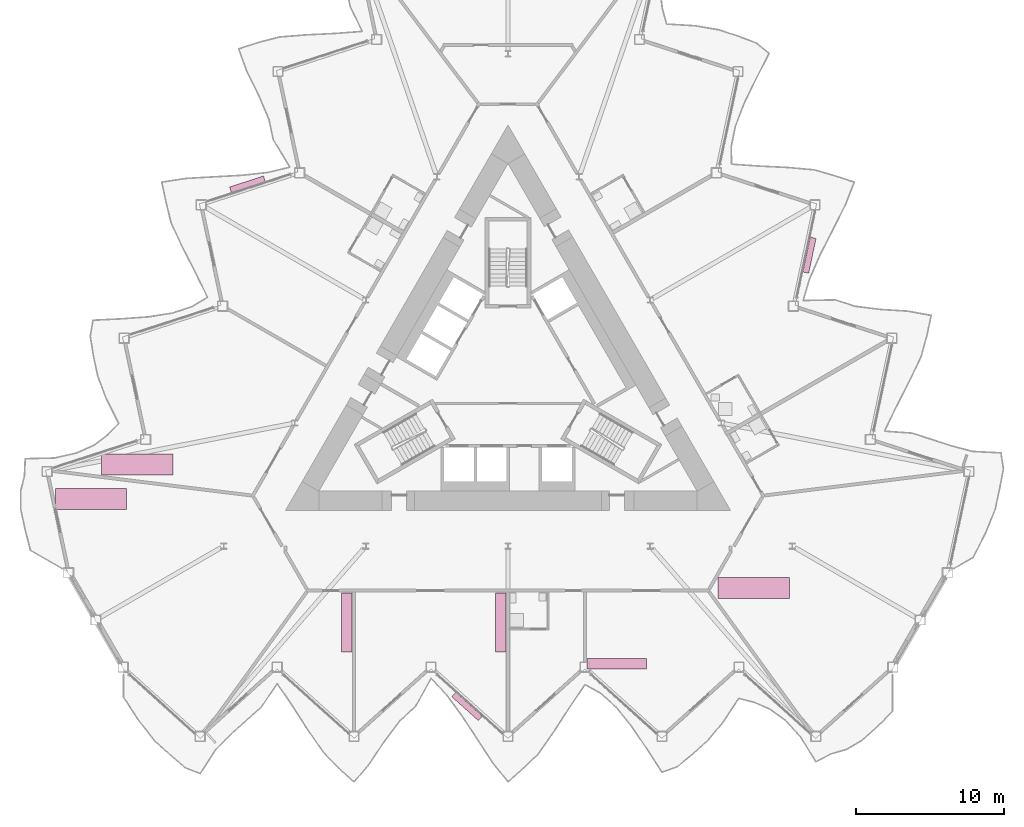
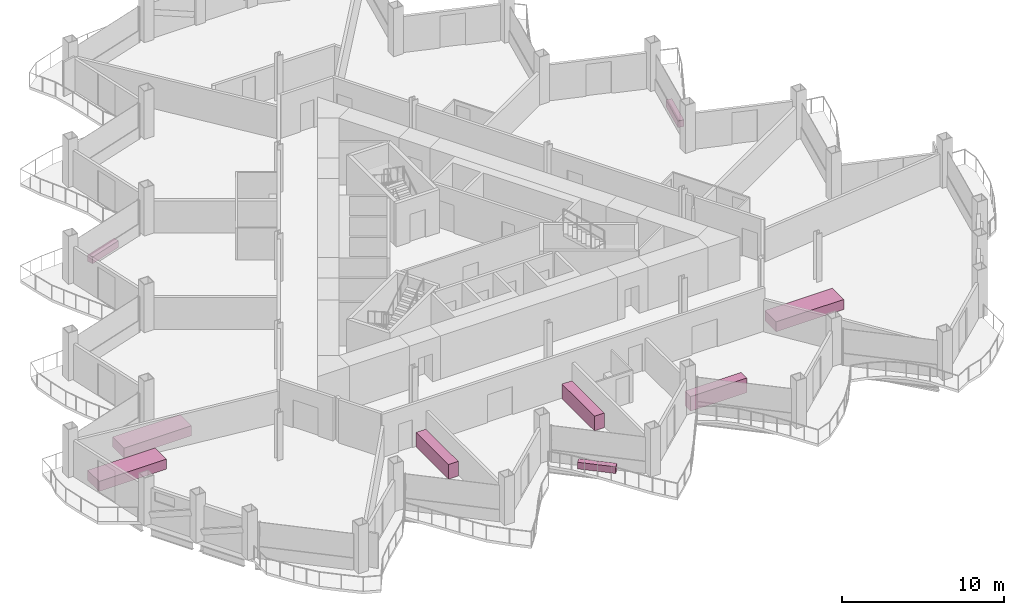
# One storey, part 24 of 24: 9 furniture elements.
"""IFC4 building model written with IfcOpenShell, lengths in metres."""

from ifc_helpers import new_model, si_unit, direction, frame, origin, origin_2d, place, context, subcontext, project, spatial, rectangle, extrude, material, type_object, element, save


model = new_model("IFC4")

# Units and contexts
model_context = context("Model", 3, precision=1e-05, world=origin(), true_north=direction((0.0, 1.0)))
body_context = subcontext(model_context, "Body", "Model", "MODEL_VIEW")
ifc_project = project(units=[si_unit("LENGTHUNIT", "METRE"), si_unit("AREAUNIT", "SQUARE_METRE"), si_unit("VOLUMEUNIT", "CUBIC_METRE"), si_unit("PLANEANGLEUNIT", "RADIAN"), si_unit("MASSUNIT", "GRAM", prefix="KILO")], contexts=[model_context])

# Site, building, storey
site_placement = place(None, origin())
site = spatial("IfcSite", under=ifc_project, at=site_placement, CompositionType="ELEMENT")
building_placement = place(site_placement, origin())
building = spatial("IfcBuilding", under=site, at=building_placement, Name="Cormorant Prow Tower", CompositionType="ELEMENT")
storey_placement = place(building_placement, frame((0.0, 0.0, 270.60009765625)))
storey = spatial("IfcBuildingStorey", under=building, at=storey_placement, Name="L61", CompositionType="ELEMENT", Elevation=270.60009765625)

# Furniture
ifc_material_1 = material(Name="Terracotta", Category="masonry")
furniture_type_1 = type_object("IfcFurnitureType", Name="Balcony planter 2400x400x500", AssemblyPlace="NOTDEFINED", PredefinedType="USERDEFINED", material=ifc_material_1)
for number, where, z_axis, x_axis, name in (
    (1, (-2.760009765625, -21.86669921875, 0.0), (0.0, 0.0, 1.0), (0.743144822266, -0.669130609926, 0.0), "Balcony planter S04"),
    (2, (20.317138671875, 8.543212890625, 0.0), (0.0, 0.0, 1.0), (0.207911705739, 0.978147597562, 0.0), "Balcony planter ENE04"),
    (3, (-17.55712890625, 13.323486328125, 0.0), (0.0, 0.0, 1.0), (-0.95105651684, -0.309016992698, 0.0), "Balcony planter WNW04"),
):
    element("IfcFurniture", number, at=place(storey_placement, frame(where, z_axis=z_axis, x_axis=x_axis)), inside=storey, type_object=furniture_type_1, Name=name, ObjectType="PLANTER", PredefinedType="USERDEFINED", context=body_context, shape_type="SweptSolid", body=[
        extrude(rectangle(XDim=2.39990234375, YDim=0.39990234375, at=origin_2d()), origin(), (0.0, 0.0, 1.0), 0.5),
    ])
ifc_material_2 = material(Name="Timber joinery", Category="wood")
furniture_type_2 = type_object("IfcFurnitureType", Name="Bar counter 4000x700", AssemblyPlace="NOTDEFINED", PredefinedType="NOTDEFINED", material=ifc_material_2)
for number, where, z_axis, x_axis, name in (
    (4, (-10.865478515625, -16.205322265625, -0.000244140625), (0.0, 0.0, 1.0), (0.0, -1.0, 0.0), "Bar counter"),
    (5, (-0.4951171875, -16.205322265625, -0.000244140625), (0.0, 0.0, 1.0), (0.0, -1.0, 0.0), "Bar counter"),
    (6, (7.330078125, -18.987548828125, -0.000244140625), (0.0, 0.0, 1.0), (1.0, 0.0, 0.0), "Bar counter"),
):
    element("IfcFurniture", number, at=place(storey_placement, frame(where, z_axis=z_axis, x_axis=x_axis)), inside=storey, type_object=furniture_type_2, Name=name, PredefinedType="NOTDEFINED", context=body_context, shape_type="SweptSolid", body=[
        extrude(rectangle(XDim=4.0, YDim=0.699951171875, at=origin_2d()), origin(), (0.0, 0.0, 1.0), 1.10009765625),
    ])
ifc_material_3 = material(Name="Timber joinery", Category="wood")
furniture_type_3 = type_object("IfcFurnitureType", Name="Conference table 4800x1400", AssemblyPlace="NOTDEFINED", PredefinedType="TABLE", material=ifc_material_3)
for number, where, z_axis, x_axis, name in (
    (7, (16.561767578125, -13.887451171875, 0.0), (0.0, 0.0, 1.0), (1.0, 0.0, 0.0), "Conference table"),
    (8, (-24.98828125, -5.55810546875, 0.0), (0.0, 0.0, 1.0), (1.0, 0.0, 0.0), "Conference table"),
    (9, (-28.101806640625, -7.887451171875, 0.0), (0.0, 0.0, 1.0), (1.0, 0.0, 0.0), "Conference table"),
):
    element("IfcFurniture", number, at=place(storey_placement, frame(where, z_axis=z_axis, x_axis=x_axis)), inside=storey, type_object=furniture_type_3, Name=name, PredefinedType="TABLE", context=body_context, shape_type="SweptSolid", body=[
        extrude(rectangle(XDim=4.800048828125, YDim=1.39990234375, at=origin_2d()), origin(), (0.0, 0.0, 1.0), 0.75),
    ])

save(model, "model.ifc")
